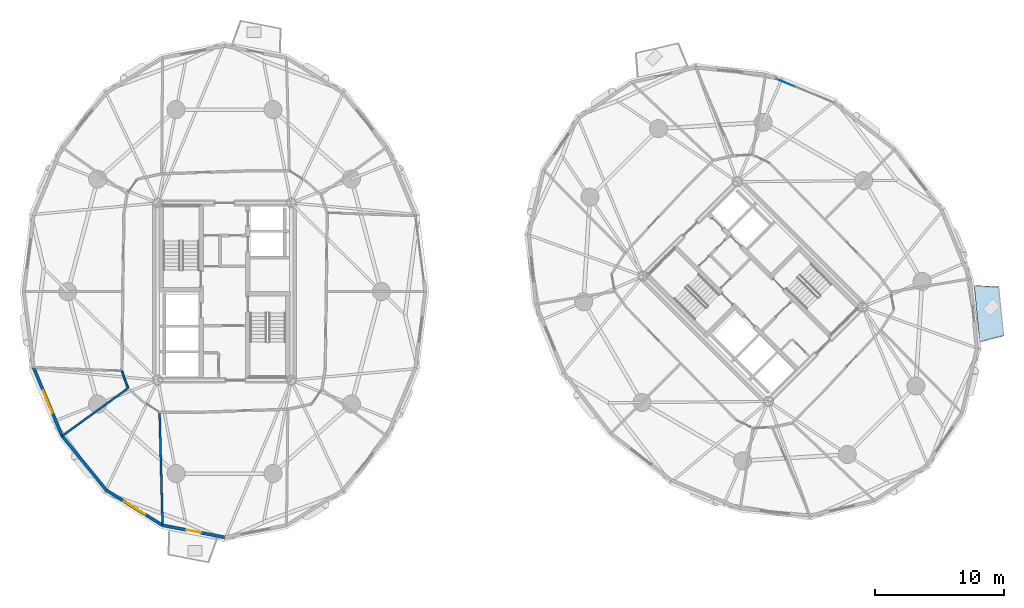
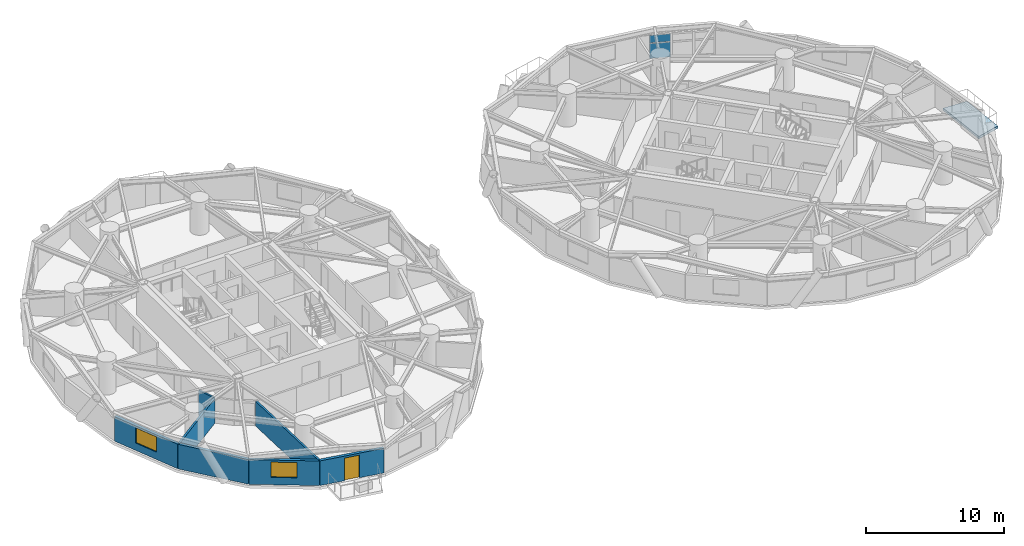
# One storey, part 8 of 17: 7 walls, 2 plates, 2 windows, 1 door, 1 slab, 3 openings, 1 element without a shape of its own.
"""IFC4 building model written with IfcOpenShell, lengths in metres."""

from ifc_helpers import new_model, si_unit, direction, frame, frame_2d, origin, origin_2d, place, context, subcontext, project, spatial, polyline, rectangle, outline, extrude, source, transform, mapped, material, layer, layer_set, type_object, element, fill, aggregate, save


model = new_model("IFC4")

# Units and contexts
model_context = context("Model", 3, precision=1e-05, world=origin(), true_north=direction((0.0, 1.0)))
body_context = subcontext(model_context, "Body", "Model", "MODEL_VIEW")
ifc_project = project(units=[si_unit("LENGTHUNIT", "METRE"), si_unit("AREAUNIT", "SQUARE_METRE"), si_unit("VOLUMEUNIT", "CUBIC_METRE"), si_unit("PLANEANGLEUNIT", "RADIAN"), si_unit("MASSUNIT", "GRAM", prefix="KILO")], contexts=[model_context])

# Site, building, storey
site_placement = place(None, origin())
site = spatial("IfcSite", under=ifc_project, at=site_placement, CompositionType="ELEMENT")
building_placement = place(site_placement, origin())
building = spatial("IfcBuilding", under=site, at=building_placement, Name="Cununo Teusaquillo Station Towers", CompositionType="ELEMENT")
storey_placement = place(building_placement, frame((0.0, 0.0, 78.8798828125)))
storey = spatial("IfcBuildingStorey", under=building, at=storey_placement, Name="L24", CompositionType="ELEMENT", Elevation=78.8798828125)

# Slab
ifc_material_1 = material(Name="Concrete C50/60", Category="concrete")
ifc_layer_1 = layer(ifc_material_1, 0.2099609375)
ifc_layer_set_1 = layer_set([ifc_layer_1], Name="Concrete C50/60")
slab_type = type_object("IfcSlabType", Name="SLB-BAL-210", PredefinedType="FLOOR", material=ifc_layer_set_1)
slab_placement = place(storey_placement, frame((0.0, 0.0, -0.2099609375)))
element("IfcSlab", 1, at=slab_placement, inside=storey, type_object=slab_type, Name="L24 Tower B Tree Balcony Slab 2", PredefinedType="FLOOR", context=body_context, shape_type="SweptSolid", body=[
    extrude(outline(polyline([(75.1123046875, 20.57080078125), (74.675048828125, 24.984375), (76.6103515625, 24.87451171875), (76.988525390625, 21.05810546875), (75.1123046875, 20.57080078125)])), origin(), (0.0, 0.0, 1.0), 0.2099609375),
])

# Curtain wall, plates
ifc_material_2 = material(Name="Ceramic-fritted dark low-E double glazing", Category="glass")
ifc_layer_2 = layer(ifc_material_2, 0.179931640625)
ifc_layer_set_2 = layer_set([ifc_layer_2], Name="Ceramic-fritted dark low-E double glazing")
curtain_wall_type = type_object("IfcCurtainWallType", Name="CW-SYS-04", PredefinedType="USERDEFINED", material=ifc_layer_set_2)
curtain_wall_placement = place(storey_placement, origin())
curtain_wall = element("IfcCurtainWall", 2, at=curtain_wall_placement, inside=storey, type_object=curtain_wall_type, Name="L24 Tower B Facade Curtain Wall C01", ObjectType="FRITTED GLAZING", PredefinedType="USERDEFINED")
ifc_material_3 = material(Name="Ceramic-fritted dark low-E double glazing", Category="glass")
ifc_layer_3 = layer(ifc_material_3, 0.028076171875)
ifc_layer_set_3 = layer_set([ifc_layer_3], Name="Ceramic-fritted dark low-E double glazing")
plate_type = type_object("IfcPlateType", Name="CWP-FRIT-28", PredefinedType="CURTAIN_PANEL", material=ifc_layer_set_3)
shared_shape_1 = source(origin(), body_context, "Body", "SweptSolid", [
    extrude(rectangle(XDim=1.531005859375, YDim=0.028076171875, at=origin_2d()), origin(), (0.0, 0.0, 1.0), 1.31103515625),
])
plate_1_placement = place(storey_placement, frame((60.045654296875, 40.697021484375, 0.070068359375), z_axis=(0.0, 0.0, 1.0), x_axis=(0.924562443652, -0.381030560176, 0.0)))
plate_1 = element("IfcPlate", 3, at=plate_1_placement, type_object=plate_type, Name="CW-04 panel 1.1", PredefinedType="CURTAIN_PANEL", context=body_context, shape_type="MappedRepresentation", body=[
    mapped(shared_shape_1, transform((0.0, 0.0, 0.0), x_axis=(1.0, 0.0, 0.0), y_axis=(0.0, 1.0, 0.0), z_axis=(0.0, 0.0, 1.0), scale=1.0)),
])
shared_shape_2 = source(origin(), body_context, "Body", "SweptSolid", [
    extrude(rectangle(XDim=1.531005859375, YDim=0.028076171875, at=origin_2d()), origin(), (0.0, 0.0, 1.0), 0.657958984375),
])
plate_2_placement = place(storey_placement, frame((60.045654296875, 40.697021484375, 1.451171875), z_axis=(0.0, 0.0, 1.0), x_axis=(0.924562443652, -0.381030560176, 0.0)))
plate_2 = element("IfcPlate", 4, at=plate_2_placement, type_object=plate_type, Name="CW-04 panel 1.2", PredefinedType="CURTAIN_PANEL", context=body_context, shape_type="MappedRepresentation", body=[
    mapped(shared_shape_2, transform((0.0, 0.0, 0.0), x_axis=(1.0, 0.0, 0.0), y_axis=(0.0, 1.0, 0.0), z_axis=(0.0, 0.0, 1.0), scale=1.0)),
])
aggregate(curtain_wall, [plate_1, plate_2])

# Wall, opening, window
ifc_material_4 = material(Name="Precast concrete C40/50", Category="concrete")
ifc_layer_4 = layer(ifc_material_4, 0.239990234375)
ifc_layer_set_4 = layer_set([ifc_layer_4], Name="Precast concrete C40/50")
wall_type_1 = type_object("IfcWallType", Name="WL-EXT-240", PredefinedType="SOLIDWALL", material=ifc_layer_set_4)
wall_1_placement = place(storey_placement, frame((3.894775390625, 13.291015625, 0.0), z_axis=(0.0, 0.0, 1.0), x_axis=(-0.384344417632, 0.923189779317, 0.0)))
wall_1 = element("IfcWall", 5, at=wall_1_placement, inside=storey, type_object=wall_type_1, Name="L24 Tower A Exterior Facade Wall C11", PredefinedType="SOLIDWALL", context=body_context, shape_type="SweptSolid", body=[
    extrude(rectangle(XDim=5.75830078125, YDim=0.239990234375, at=frame_2d((2.879150390625, 0.0))), origin(), (0.0, 0.0, 1.0), 2.17919921875),
])
shared_shape_3 = source(origin(), body_context, "Body", "SweptSolid", [
    extrude(rectangle(XDim=1.89990234375, YDim=1.35009765625, at=frame_2d((0.949951171875, 0.675048828125))), frame((0.0, 0.1298828125, 0.0), z_axis=(0.0, -1.0, 0.0), x_axis=(1.0, 0.0, 0.0)), (0.0, 0.0, 1.0), 0.260009765625),
])
opening_1_placement = place(wall_1_placement, frame((1.928955078125, 0.0, 0.64990234375)))
opening_1 = element("IfcOpeningElement", 6, at=opening_1_placement, cuts=wall_1, Name="Opening WN-02", PredefinedType="OPENING", context=body_context, shape_type="MappedRepresentation", body=[
    mapped(shared_shape_3, transform((0.0, 0.0, 0.0), x_axis=(1.0, 0.0, 0.0), y_axis=(0.0, 1.0, 0.0), z_axis=(0.0, 0.0, 1.0), scale=1.0)),
])
ifc_material_5 = material(Name="Operable acoustic tinted low-E double glazing", Category="glass")
window_type = type_object("IfcWindowType", Name="WIN-OPER-1900", PartitioningType="DOUBLE_PANEL_VERTICAL", PredefinedType="WINDOW", material=ifc_material_5)
shared_shape_4 = source(origin(), body_context, "Body", "SweptSolid", [
    extrude(rectangle(XDim=1.89990234375, YDim=1.35009765625, at=frame_2d((0.949951171875, 0.675048828125))), frame((0.0, 0.030029296875, 0.0), z_axis=(0.0, -1.0, 0.0), x_axis=(1.0, 0.0, 0.0)), (0.0, 0.0, 1.0), 0.06005859375),
])
window_1_placement = place(opening_1_placement, origin())
window_1 = element("IfcWindow", 7, at=window_1_placement, inside=storey, type_object=window_type, Name="L24 Tower A Facade Window C11", OverallHeight=1.35009765625, OverallWidth=1.89990234375, PartitioningType="DOUBLE_PANEL_VERTICAL", PredefinedType="WINDOW", context=body_context, shape_type="MappedRepresentation", body=[
    mapped(shared_shape_4, transform((0.0, 0.0, 0.0), x_axis=(1.0, 0.0, 0.0), y_axis=(0.0, 1.0, 0.0), z_axis=(0.0, 0.0, 1.0), scale=1.0)),
])
fill(opening_1, window_1)

# Wall
wall_2_placement = place(storey_placement, frame((7.341796875, 9.072021484375, 0.0), z_axis=(0.0, 0.0, 1.0), x_axis=(-0.632700781152, 0.77439635945, 0.0)))
element("IfcWall", 8, at=wall_2_placement, inside=storey, type_object=wall_type_1, Name="L24 Tower A Exterior Facade Wall C12", PredefinedType="SOLIDWALL", context=body_context, shape_type="SweptSolid", body=[
    extrude(rectangle(XDim=5.447998046875, YDim=0.239990234375, at=frame_2d((2.72412109375, 0.0))), origin(), (0.0, 0.0, 1.0), 2.17919921875),
])

# Wall, opening, window
wall_3_placement = place(storey_placement, frame((11.685302734375, 6.36328125, 0.0), z_axis=(0.0, 0.0, 1.0), x_axis=(-0.848520380187, 0.529162701263, 0.0)))
wall_3 = element("IfcWall", 9, at=wall_3_placement, inside=storey, type_object=wall_type_1, Name="L24 Tower A Exterior Facade Wall C13", PredefinedType="SOLIDWALL", context=body_context, shape_type="SweptSolid", body=[
    extrude(rectangle(XDim=5.118896484375, YDim=0.239990234375, at=frame_2d((2.5595703125, 0.0))), origin(), (0.0, 0.0, 1.0), 2.17919921875),
])
opening_2_placement = place(wall_3_placement, frame((1.60888671875, 0.0, 0.64990234375)))
opening_2 = element("IfcOpeningElement", 10, at=opening_2_placement, cuts=wall_3, Name="Opening WN-02", PredefinedType="OPENING", context=body_context, shape_type="MappedRepresentation", body=[
    mapped(shared_shape_3, transform((0.0, 0.0, 0.0), x_axis=(1.0, 0.0, 0.0), y_axis=(0.0, 1.0, 0.0), z_axis=(0.0, 0.0, 1.0), scale=1.0)),
])
window_2_placement = place(opening_2_placement, origin())
window_2 = element("IfcWindow", 11, at=window_2_placement, inside=storey, type_object=window_type, Name="L24 Tower A Facade Window C13", OverallHeight=1.35009765625, OverallWidth=1.89990234375, PartitioningType="DOUBLE_PANEL_VERTICAL", PredefinedType="WINDOW", context=body_context, shape_type="MappedRepresentation", body=[
    mapped(shared_shape_4, transform((0.0, 0.0, 0.0), x_axis=(1.0, 0.0, 0.0), y_axis=(0.0, 1.0, 0.0), z_axis=(0.0, 0.0, 1.0), scale=1.0)),
])
fill(opening_2, window_2)

# Wall, opening, door
wall_4_placement = place(storey_placement, frame((16.5, 5.429931640625, 0.0), z_axis=(0.0, 0.0, 1.0), x_axis=(-0.981723785992, 0.190311344954, 0.0)))
wall_4 = element("IfcWall", 12, at=wall_4_placement, inside=storey, type_object=wall_type_1, Name="L24 Tower A Exterior Facade Wall C14", PredefinedType="SOLIDWALL", context=body_context, shape_type="SweptSolid", body=[
    extrude(rectangle(XDim=4.904296875, YDim=0.239990234375, at=frame_2d((2.4521484375, 0.0))), origin(), (0.0, 0.0, 1.0), 2.17919921875),
])
shared_shape_5 = source(origin(), body_context, "Body", "SweptSolid", [
    extrude(rectangle(XDim=1.14990234375, YDim=2.0048828125, at=frame_2d((0.574951171875, 1.00244140625))), frame((0.0, 0.1298828125, 0.0), z_axis=(0.0, -1.0, 0.0), x_axis=(1.0, 0.0, 0.0)), (0.0, 0.0, 1.0), 0.260009765625),
])
opening_3_placement = place(wall_4_placement, frame((1.876953125, 0.0, 0.0)))
opening_3 = element("IfcOpeningElement", 13, at=opening_3_placement, cuts=wall_4, Name="Opening ED-03", PredefinedType="OPENING", context=body_context, shape_type="MappedRepresentation", body=[
    mapped(shared_shape_5, transform((0.0, 0.0, 0.0), x_axis=(1.0, 0.0, 0.0), y_axis=(0.0, 1.0, 0.0), z_axis=(0.0, 0.0, 1.0), scale=1.0)),
])
ifc_material_6 = material(Name="Anodised dark bronze aluminium EN AW-6063-T6", Category="aluminium")
door_type = type_object("IfcDoorType", Name="DR-EXT-BAL", OperationType="NOTDEFINED", PredefinedType="DOOR", material=ifc_material_6)
shared_shape_6 = source(origin(), body_context, "Body", "SweptSolid", [
    extrude(rectangle(XDim=1.14990234375, YDim=2.0048828125, at=frame_2d((0.574951171875, 1.00244140625))), frame((0.0, 0.02490234375, 0.0), z_axis=(0.0, -1.0, 0.0), x_axis=(1.0, 0.0, 0.0)), (0.0, 0.0, 1.0), 0.050048828125),
])
door_placement = place(opening_3_placement, origin())
door = element("IfcDoor", 14, at=door_placement, inside=storey, type_object=door_type, Name="L24 Tower A Tree Balcony Door C14", OperationType="SINGLE_SWING_LEFT", OverallHeight=2.0048828125, OverallWidth=1.14990234375, PredefinedType="DOOR", context=body_context, shape_type="MappedRepresentation", body=[
    mapped(shared_shape_6, transform((0.0, 0.0, 0.0), x_axis=(1.0, 0.0, 0.0), y_axis=(0.0, 1.0, 0.0), z_axis=(0.0, 0.0, 1.0), scale=1.0)),
])
fill(opening_3, door)

# Walls
ifc_material_7 = material(Name="Fire-rated gypsum plasterboard partition assembly", Category="gypsum")
ifc_layer_5 = layer(ifc_material_7, 0.14990234375)
ifc_layer_set_5 = layer_set([ifc_layer_5], Name="Fire-rated gypsum plasterboard partition assembly")
wall_type_2 = type_object("IfcWallType", Name="WL-PART-150", PredefinedType="PARTITIONING", material=ifc_layer_set_5)
wall_5_placement = place(storey_placement, frame((8.538330078125, 18.338134765625, 0.0), z_axis=(0.0, 0.0, 1.0), x_axis=(0.331358150167, -0.94350504838, 0.0)))
element("IfcWall", 15, at=wall_5_placement, inside=storey, type_object=wall_type_2, Name="L24 Tower A Corridor Ring Wall C11", PredefinedType="PARTITIONING", context=body_context, shape_type="SweptSolid", body=[
    extrude(rectangle(XDim=1.42431640625, YDim=0.14990234375, at=frame_2d((0.712158203125, 0.0))), origin(), (0.0, 0.0, 1.0), 2.22509765625),
])
ifc_material_8 = material(Name="Fire-rated gypsum plasterboard partition assembly", Category="gypsum")
ifc_layer_6 = layer(ifc_material_8, 0.159912109375)
ifc_layer_set_6 = layer_set([ifc_layer_6], Name="Fire-rated gypsum plasterboard partition assembly")
wall_type_3 = type_object("IfcWallType", Name="WL-PART-160", PredefinedType="PARTITIONING", material=ifc_layer_set_6)
wall_6_placement = place(storey_placement, frame((9.01025390625, 16.994384765625, 0.0), z_axis=(0.0, 0.0, 1.0), x_axis=(-0.81001707524, -0.586406290741, 0.0)))
element("IfcWall", 16, at=wall_6_placement, inside=storey, type_object=wall_type_3, Name="L24 Tower A Radial Suite Partition R07", PredefinedType="PARTITIONING", context=body_context, shape_type="SweptSolid", body=[
    extrude(rectangle(XDim=6.29541015625, YDim=0.159912109375, at=frame_2d((3.147705078125, 0.0))), origin(), (0.0, 0.0, 1.0), 2.17919921875),
])
wall_7_placement = place(storey_placement, frame((11.459716796875, 15.128662109375, 0.0), z_axis=(0.0, 0.0, 1.0), x_axis=(0.026480592098, -0.999649327636, 0.0)))
element("IfcWall", 17, at=wall_7_placement, inside=storey, type_object=wall_type_3, Name="L24 Tower A Radial Suite Partition R08", PredefinedType="PARTITIONING", context=body_context, shape_type="SweptSolid", body=[
    extrude(rectangle(XDim=8.74951171875, YDim=0.159912109375, at=frame_2d((4.374755859375, 0.0))), origin(), (0.0, 0.0, 1.0), 2.17919921875),
])

save(model, "model.ifc")
